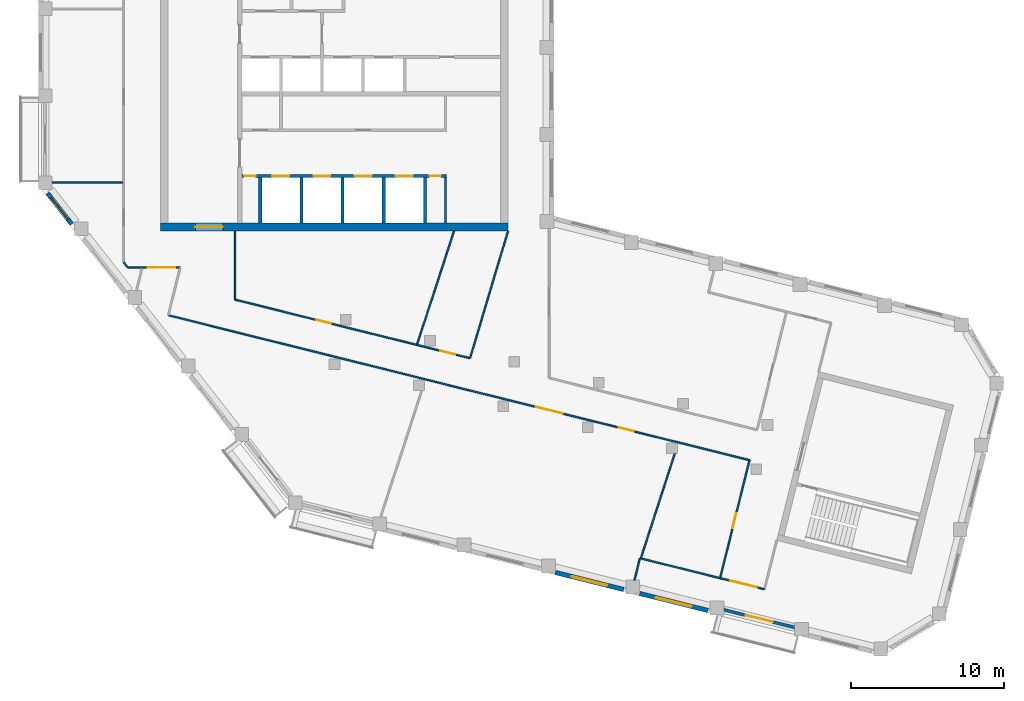
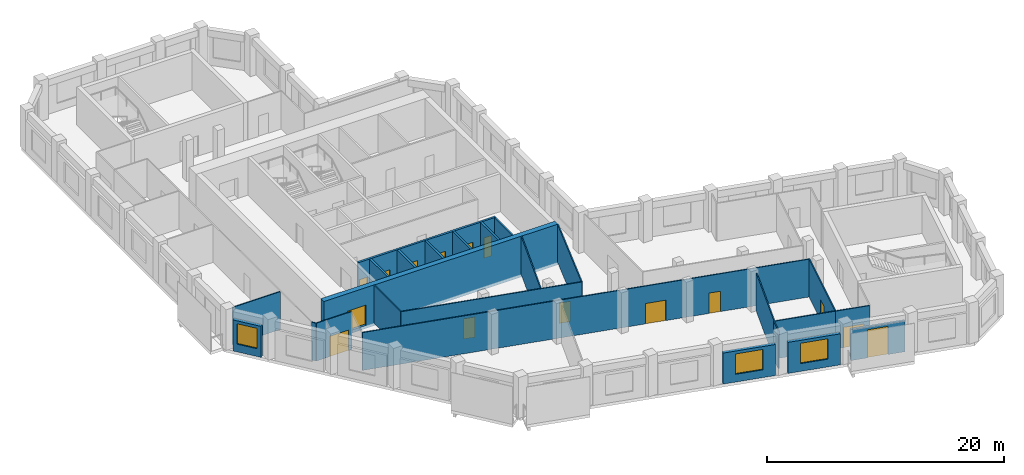
# One storey, part 3 of 8: 25 walls, 15 doors, 3 windows, 18 openings.
"""IFC4 building model written with IfcOpenShell, lengths in metres."""

from ifc_helpers import new_model, si_unit, direction, frame, frame_2d, origin, place, context, subcontext, project, spatial, rectangle, extrude, material, layer, layer_set, type_object, element, fill, save


model = new_model("IFC4")

# Units and contexts
model_context = context("Model", 3, precision=1e-05, world=origin(), true_north=direction((0.0, 1.0)))
body_context = subcontext(model_context, "Body", "Model", "MODEL_VIEW")
ifc_project = project(units=[si_unit("LENGTHUNIT", "METRE"), si_unit("AREAUNIT", "SQUARE_METRE"), si_unit("VOLUMEUNIT", "CUBIC_METRE"), si_unit("PLANEANGLEUNIT", "RADIAN"), si_unit("MASSUNIT", "GRAM", prefix="KILO")], contexts=[model_context])

# Site, building, storey
site_placement = place(None, origin())
site = spatial("IfcSite", under=ifc_project, at=site_placement, CompositionType="ELEMENT")
building_placement = place(site_placement, origin())
building = spatial("IfcBuilding", under=site, at=building_placement, Name="Meshkara Civic Tower", CompositionType="ELEMENT")
storey_placement = place(building_placement, frame((0.0, 0.0, 391.800048828125)))
storey = spatial("IfcBuildingStorey", under=building, at=storey_placement, Name="L90", CompositionType="ELEMENT", Elevation=391.800048828125)

# Wall
ifc_material_1 = material(Name="Blockwork", Category="masonry")
ifc_layer_1 = layer(ifc_material_1, 0.14990234375)
ifc_layer_set_1 = layer_set([ifc_layer_1], Name="Core partition 150")
wall_type_1 = type_object("IfcWallType", Name="Core partition 150", PredefinedType="PARTITIONING", material=ifc_layer_set_1)
wall_1_placement = place(storey_placement, frame((26.699951171875, 14.60009765625, 0.0), z_axis=(0.0, 0.0, 1.0), x_axis=(0.0, 1.0, 0.0)))
element("IfcWall", 1, at=wall_1_placement, inside=storey, type_object=wall_type_1, Name="L90-C025", PredefinedType="PARTITIONING", context=body_context, shape_type="SweptSolid", body=[
    extrude(rectangle(XDim=3.0, YDim=0.14990234375, at=frame_2d((1.5, 0.0))), origin(), (0.0, 0.0, 1.0), 3.89990234375),
])

# Wall, opening, door
ifc_material_2 = material(Name="Concrete C50", Category="concrete")
ifc_layer_2 = layer(ifc_material_2, 0.5)
ifc_layer_set_2 = layer_set([ifc_layer_2], Name="Core ring wall 500 C50")
wall_type_2 = type_object("IfcWallType", Name="Core ring wall 500 C50", PredefinedType="SHEAR", material=ifc_layer_set_2)
wall_2_placement = place(storey_placement, frame((8.0, 14.35009765625, -0.300048828125), z_axis=(0.0, 0.0, 1.0), x_axis=(1.0, 0.0, 0.0)))
wall_2 = element("IfcWall", 2, at=wall_2_placement, inside=storey, type_object=wall_type_2, Name="L90-C001", PredefinedType="SHEAR", context=body_context, shape_type="SweptSolid", body=[
    extrude(rectangle(XDim=22.800048828125, YDim=0.5, at=frame_2d((11.39990234375, 0.0))), origin(), (0.0, 0.0, 1.0), 4.199951171875),
])
opening_1_placement = place(wall_2_placement, frame((2.300048828125, 0.0, 0.300048828125)))
opening_1 = element("IfcOpeningElement", 3, at=opening_1_placement, cuts=wall_2, Name="Opening L90-K023", PredefinedType="OPENING", context=body_context, shape_type="SweptSolid", body=[
    extrude(rectangle(XDim=1.800048828125, YDim=2.10009765625, at=frame_2d((0.89990234375, 1.050048828125))), frame((0.0, 0.260009765625, 0.0), z_axis=(0.0, -1.0, 0.0), x_axis=(1.0, 0.0, 0.0)), (0.0, 0.0, 1.0), 0.52001953125),
])
ifc_material_3 = material(Name="Fire-rated door leaf in steel frame", Category="steel")
door_type_1 = type_object("IfcDoorType", Name="Core double door 1800 EI 60", OperationType="DOUBLE_DOOR_SINGLE_SWING", PredefinedType="DOOR", material=ifc_material_3)
door_1_placement = place(opening_1_placement, origin())
door_1 = element("IfcDoor", 4, at=door_1_placement, inside=storey, type_object=door_type_1, Name="L90-K023", OperationType="DOUBLE_DOOR_SINGLE_SWING", OverallHeight=2.10009765625, OverallWidth=1.800048828125, PredefinedType="DOOR", context=body_context, shape_type="SweptSolid", body=[
    extrude(rectangle(XDim=1.800048828125, YDim=2.10009765625, at=frame_2d((0.89990234375, 1.050048828125))), frame((0.0, 0.02490234375, 0.0), z_axis=(0.0, -1.0, 0.0), x_axis=(1.0, 0.0, 0.0)), (0.0, 0.0, 1.0), 0.050048828125),
])
fill(opening_1, door_1)

# Wall
ifc_material_4 = material(Name="Corridor wall 100")
ifc_layer_3 = layer(ifc_material_4, 0.10009765625)
ifc_layer_set_3 = layer_set([ifc_layer_3], Name="Corridor wall 100")
wall_type_3 = type_object("IfcWallType", Name="Corridor wall 100", PredefinedType="PARTITIONING", material=ifc_layer_set_3)
wall_3_placement = place(storey_placement, frame((5.60009765625, 12.0439453125, 0.0), z_axis=(0.0, 0.0, 1.0), x_axis=(0.614328236968, -0.789050579661, 0.0)))
element("IfcWall", 5, at=wall_3_placement, inside=storey, type_object=wall_type_3, Name="L90-W003", PredefinedType="PARTITIONING", context=body_context, shape_type="SweptSolid", body=[
    extrude(rectangle(XDim=0.43603515625, YDim=0.10009765625, at=frame_2d((0.218017578125, 0.0))), origin(), (0.0, 0.0, 1.0), 3.89990234375),
])

# Wall, opening, door
wall_4_placement = place(storey_placement, frame((5.867919921875, 11.699951171875, 0.0), z_axis=(0.0, 0.0, 1.0), x_axis=(1.0, 0.0, 0.0)))
wall_4 = element("IfcWall", 6, at=wall_4_placement, inside=storey, type_object=wall_type_3, Name="L90-W006", PredefinedType="PARTITIONING", context=body_context, shape_type="SweptSolid", body=[
    extrude(rectangle(XDim=3.43310546875, YDim=0.10009765625, at=frame_2d((1.716552734375, 0.0))), origin(), (0.0, 0.0, 1.0), 3.89990234375),
])
opening_2_placement = place(wall_4_placement, frame((1.30908203125, 0.0, 0.0)))
opening_2 = element("IfcOpeningElement", 7, at=opening_2_placement, cuts=wall_4, Name="Opening L90-D006", PredefinedType="OPENING", context=body_context, shape_type="SweptSolid", body=[
    extrude(rectangle(XDim=1.800048828125, YDim=2.10009765625, at=frame_2d((0.89990234375, 1.050048828125))), frame((0.0, 0.06005859375, 0.0), z_axis=(0.0, -1.0, 0.0), x_axis=(1.0, 0.0, 0.0)), (0.0, 0.0, 1.0), 0.1201171875),
])
ifc_material_5 = material(Name="Door pair 1800 x 2100")
door_type_2 = type_object("IfcDoorType", Name="Door pair 1800 x 2100", OperationType="SINGLE_SWING_LEFT", PredefinedType="DOOR", material=ifc_material_5)
door_2_placement = place(opening_2_placement, origin())
door_2 = element("IfcDoor", 8, at=door_2_placement, inside=storey, type_object=door_type_2, Name="L90-D006", OperationType="DOUBLE_DOOR_SINGLE_SWING", OverallHeight=2.10009765625, OverallWidth=1.800048828125, PredefinedType="DOOR", context=body_context, shape_type="SweptSolid", body=[
    extrude(rectangle(XDim=1.800048828125, YDim=2.10009765625, at=frame_2d((0.89990234375, 1.050048828125))), frame((0.0, 0.02490234375, 0.0), z_axis=(0.0, -1.0, 0.0), x_axis=(1.0, 0.0, 0.0)), (0.0, 0.0, 1.0), 0.050048828125),
])
fill(opening_2, door_2)

# Wall, openings, doors
wall_5_placement = place(storey_placement, frame((8.52099609375, 8.56689453125, 0.0), z_axis=(0.0, 0.0, 1.0), x_axis=(0.970298072542, -0.241912485047, 0.0)))
wall_5 = element("IfcWall", 9, at=wall_5_placement, inside=storey, type_object=wall_type_3, Name="L90-W007", PredefinedType="PARTITIONING", context=body_context, shape_type="SweptSolid", body=[
    extrude(rectangle(XDim=39.2744140625, YDim=0.10009765625, at=frame_2d((19.63720703125, 0.0))), origin(), (0.0, 0.0, 1.0), 3.89990234375),
])
opening_3_placement = place(wall_5_placement, frame((24.847900390625, 0.0, 0.0)))
opening_3 = element("IfcOpeningElement", 10, at=opening_3_placement, cuts=wall_5, Name="Opening L90-D003", PredefinedType="OPENING", context=body_context, shape_type="SweptSolid", body=[
    extrude(rectangle(XDim=1.800048828125, YDim=2.10009765625, at=frame_2d((0.89990234375, 1.050048828125))), frame((0.0, 0.06005859375, 0.0), z_axis=(0.0, -1.0, 0.0), x_axis=(1.0, 0.0, 0.0)), (0.0, 0.0, 1.0), 0.1201171875),
])
opening_4_placement = place(wall_5_placement, frame((30.447998046875, 0.0, 0.0)))
opening_4 = element("IfcOpeningElement", 11, at=opening_4_placement, cuts=wall_5, Name="Opening L90-D004", PredefinedType="OPENING", context=body_context, shape_type="SweptSolid", body=[
    extrude(rectangle(XDim=1.0, YDim=2.10009765625, at=frame_2d((0.5, 1.050048828125))), frame((0.0, 0.06005859375, 0.0), z_axis=(0.0, -1.0, 0.0), x_axis=(1.0, 0.0, 0.0)), (0.0, 0.0, 1.0), 0.1201171875),
])
ifc_material_6 = material(Name="Door 1000 x 2100")
door_type_3 = type_object("IfcDoorType", Name="Door 1000 x 2100", OperationType="SINGLE_SWING_LEFT", PredefinedType="DOOR", material=ifc_material_6)
door_3_placement = place(opening_4_placement, origin())
door_3 = element("IfcDoor", 12, at=door_3_placement, inside=storey, type_object=door_type_3, Name="L90-D004", OperationType="SINGLE_SWING_LEFT", OverallHeight=2.10009765625, OverallWidth=1.0, PredefinedType="DOOR", context=body_context, shape_type="SweptSolid", body=[
    extrude(rectangle(XDim=1.0, YDim=2.10009765625, at=frame_2d((0.5, 1.050048828125))), frame((0.0, 0.02490234375, 0.0), z_axis=(0.0, -1.0, 0.0), x_axis=(1.0, 0.0, 0.0)), (0.0, 0.0, 1.0), 0.050048828125),
])
fill(opening_4, door_3)
door_4_placement = place(opening_3_placement, origin())
door_4 = element("IfcDoor", 13, at=door_4_placement, inside=storey, type_object=door_type_2, Name="L90-D003", OperationType="DOUBLE_DOOR_SINGLE_SWING", OverallHeight=2.10009765625, OverallWidth=1.800048828125, PredefinedType="DOOR", context=body_context, shape_type="SweptSolid", body=[
    extrude(rectangle(XDim=1.800048828125, YDim=2.10009765625, at=frame_2d((0.89990234375, 1.050048828125))), frame((0.0, 0.02490234375, 0.0), z_axis=(0.0, -1.0, 0.0), x_axis=(1.0, 0.0, 0.0)), (0.0, 0.0, 1.0), 0.050048828125),
])
fill(opening_3, door_4)

wall_6_placement = place(storey_placement, frame((12.89990234375, 9.590087890625, 0.0), z_axis=(0.0, 0.0, 1.0), x_axis=(0.970296971371, -0.241916901741, 0.0)))
wall_6 = element("IfcWall", 14, at=wall_6_placement, inside=storey, type_object=wall_type_3, Name="L90-W009", PredefinedType="PARTITIONING", context=body_context, shape_type="SweptSolid", body=[
    extrude(rectangle(XDim=15.877685546875, YDim=0.10009765625, at=frame_2d((7.93896484375, 0.0))), origin(), (0.0, 0.0, 1.0), 3.89990234375),
])
opening_5_placement = place(wall_6_placement, frame((5.47998046875, 0.0, 0.0)))
opening_5 = element("IfcOpeningElement", 15, at=opening_5_placement, cuts=wall_6, Name="Opening L90-D007", PredefinedType="OPENING", context=body_context, shape_type="SweptSolid", body=[
    extrude(rectangle(XDim=1.0, YDim=2.10009765625, at=frame_2d((0.5, 1.050048828125))), frame((0.0, 0.06005859375, 0.0), z_axis=(0.0, -1.0, 0.0), x_axis=(1.0, 0.0, 0.0)), (0.0, 0.0, 1.0), 0.1201171875),
])
opening_6_placement = place(wall_6_placement, frame((13.868896484375, 0.0, 0.0)))
opening_6 = element("IfcOpeningElement", 16, at=opening_6_placement, cuts=wall_6, Name="Opening L90-D008", PredefinedType="OPENING", context=body_context, shape_type="SweptSolid", body=[
    extrude(rectangle(XDim=1.0, YDim=2.10009765625, at=frame_2d((0.5, 1.050048828125))), frame((0.0, 0.06005859375, 0.0), z_axis=(0.0, -1.0, 0.0), x_axis=(1.0, 0.0, 0.0)), (0.0, 0.0, 1.0), 0.1201171875),
])
door_5_placement = place(opening_5_placement, origin())
door_5 = element("IfcDoor", 17, at=door_5_placement, inside=storey, type_object=door_type_3, Name="L90-D007", OperationType="SINGLE_SWING_LEFT", OverallHeight=2.10009765625, OverallWidth=1.0, PredefinedType="DOOR", context=body_context, shape_type="SweptSolid", body=[
    extrude(rectangle(XDim=1.0, YDim=2.10009765625, at=frame_2d((0.5, 1.050048828125))), frame((0.0, 0.02490234375, 0.0), z_axis=(0.0, -1.0, 0.0), x_axis=(1.0, 0.0, 0.0)), (0.0, 0.0, 1.0), 0.050048828125),
])
fill(opening_5, door_5)
door_6_placement = place(opening_6_placement, origin())
door_6 = element("IfcDoor", 18, at=door_6_placement, inside=storey, type_object=door_type_3, Name="L90-D008", OperationType="SINGLE_SWING_RIGHT", OverallHeight=2.10009765625, OverallWidth=1.0, PredefinedType="DOOR", context=body_context, shape_type="SweptSolid", body=[
    extrude(rectangle(XDim=1.0, YDim=2.10009765625, at=frame_2d((0.5, 1.050048828125))), frame((0.0, 0.02490234375, 0.0), z_axis=(0.0, -1.0, 0.0), x_axis=(1.0, 0.0, 0.0)), (0.0, 0.0, 1.0), 0.050048828125),
])
fill(opening_6, door_6)

# Walls
wall_7_placement = place(storey_placement, frame((12.89990234375, 9.590087890625, 0.0), z_axis=(0.0, 0.0, 1.0), x_axis=(0.0, 1.0, 0.0)))
element("IfcWall", 19, at=wall_7_placement, inside=storey, type_object=wall_type_3, Name="L90-W010", PredefinedType="PARTITIONING", context=body_context, shape_type="SweptSolid", body=[
    extrude(rectangle(XDim=4.510009765625, YDim=0.10009765625, at=frame_2d((2.2548828125, 0.0))), origin(), (0.0, 0.0, 1.0), 3.89990234375),
])
wall_8_placement = place(storey_placement, frame((30.800048828125, 14.10009765625, 0.0), z_axis=(0.0, 0.0, 1.0), x_axis=(-0.286170650389, -0.958178667502, 0.0)))
element("IfcWall", 20, at=wall_8_placement, inside=storey, type_object=wall_type_3, Name="L90-W013", PredefinedType="PARTITIONING", context=body_context, shape_type="SweptSolid", body=[
    extrude(rectangle(XDim=8.715576171875, YDim=0.10009765625, at=frame_2d((4.35791015625, 0.0))), origin(), (0.0, 0.0, 1.0), 3.89990234375),
])

# Wall, opening, door
wall_9_placement = place(storey_placement, frame((44.699951171875, -8.6708984375, 0.0), z_axis=(0.0, 0.0, 1.0), x_axis=(0.970276376031, -0.241999491975, 0.0)))
wall_9 = element("IfcWall", 21, at=wall_9_placement, inside=storey, type_object=wall_type_3, Name="L90-W016", PredefinedType="PARTITIONING", context=body_context, shape_type="SweptSolid", body=[
    extrude(rectangle(XDim=3.000244140625, YDim=0.10009765625, at=frame_2d((1.5, 0.0))), origin(), (0.0, 0.0, 1.0), 3.89990234375),
])
opening_7_placement = place(wall_9_placement, frame((0.679931640625, 0.0, 0.0)))
opening_7 = element("IfcOpeningElement", 22, at=opening_7_placement, cuts=wall_9, Name="Opening L90-D001", PredefinedType="OPENING", context=body_context, shape_type="SweptSolid", body=[
    extrude(rectangle(XDim=1.800048828125, YDim=2.10009765625, at=frame_2d((0.89990234375, 1.050048828125))), frame((0.0, 0.06005859375, 0.0), z_axis=(0.0, -1.0, 0.0), x_axis=(1.0, 0.0, 0.0)), (0.0, 0.0, 1.0), 0.1201171875),
])
door_7_placement = place(opening_7_placement, origin())
door_7 = element("IfcDoor", 23, at=door_7_placement, inside=storey, type_object=door_type_2, Name="L90-D001", OperationType="DOUBLE_DOOR_SINGLE_SWING", OverallHeight=2.10009765625, OverallWidth=1.800048828125, PredefinedType="DOOR", context=body_context, shape_type="SweptSolid", body=[
    extrude(rectangle(XDim=1.800048828125, YDim=2.10009765625, at=frame_2d((0.89990234375, 1.050048828125))), frame((0.0, 0.02490234375, 0.0), z_axis=(0.0, -1.0, 0.0), x_axis=(1.0, 0.0, 0.0)), (0.0, 0.0, 1.0), 0.050048828125),
])
fill(opening_7, door_7)

wall_10_placement = place(storey_placement, frame((46.62890625, -0.93408203125, 0.0), z_axis=(0.0, 0.0, 1.0), x_axis=(-0.241916003183, -0.970297195401, 0.0)))
wall_10 = element("IfcWall", 24, at=wall_10_placement, inside=storey, type_object=wall_type_3, Name="L90-W017", PredefinedType="PARTITIONING", context=body_context, shape_type="SweptSolid", body=[
    extrude(rectangle(XDim=7.9736328125, YDim=0.10009765625, at=frame_2d((3.98681640625, 0.0))), origin(), (0.0, 0.0, 1.0), 3.89990234375),
])
opening_8_placement = place(wall_10_placement, frame((3.580078125, 0.0, 0.0)))
opening_8 = element("IfcOpeningElement", 25, at=opening_8_placement, cuts=wall_10, Name="Opening L90-D002", PredefinedType="OPENING", context=body_context, shape_type="SweptSolid", body=[
    extrude(rectangle(XDim=1.0, YDim=2.10009765625, at=frame_2d((0.5, 1.050048828125))), frame((0.0, 0.06005859375, 0.0), z_axis=(0.0, -1.0, 0.0), x_axis=(1.0, 0.0, 0.0)), (0.0, 0.0, 1.0), 0.1201171875),
])
door_8_placement = place(opening_8_placement, origin())
door_8 = element("IfcDoor", 26, at=door_8_placement, inside=storey, type_object=door_type_3, Name="L90-D002", OperationType="SINGLE_SWING_LEFT", OverallHeight=2.10009765625, OverallWidth=1.0, PredefinedType="DOOR", context=body_context, shape_type="SweptSolid", body=[
    extrude(rectangle(XDim=1.0, YDim=2.10009765625, at=frame_2d((0.5, 1.050048828125))), frame((0.0, 0.02490234375, 0.0), z_axis=(0.0, -1.0, 0.0), x_axis=(1.0, 0.0, 0.0)), (0.0, 0.0, 1.0), 0.050048828125),
])
fill(opening_8, door_8)

# Wall, opening, window
ifc_material_7 = material(Name="Insulated infill panel with bronze anodised aluminium cladding", Category="aluminium")
ifc_layer_4 = layer(ifc_material_7, 0.300048828125)
ifc_layer_set_4 = layer_set([ifc_layer_4], Name="EXTERNAL INFILL WALL 300")
wall_type_4 = type_object("IfcWallType", Name="EXTERNAL INFILL WALL 300", PredefinedType="SOLIDWALL", material=ifc_layer_set_4)
wall_11_placement = place(storey_placement, frame((0.60205078125, 16.572998046875, 0.0), z_axis=(0.0, 0.0, 1.0), x_axis=(0.61568999437, -0.787988471256, 0.0)))
wall_11 = element("IfcWall", 27, at=wall_11_placement, inside=storey, type_object=wall_type_4, Name="External wall", PredefinedType="SOLIDWALL", context=body_context, shape_type="SweptSolid", body=[
    extrude(rectangle(XDim=2.577392578125, YDim=0.300048828125, at=frame_2d((1.28857421875, 0.0))), origin(), (0.0, 0.0, 1.0), 3.199951171875),
])
opening_9_placement = place(wall_11_placement, frame((0.387939453125, 0.0, 0.800048828125)))
opening_9 = element("IfcOpeningElement", 28, at=opening_9_placement, cuts=wall_11, Name="Opening W9", PredefinedType="OPENING", context=body_context, shape_type="SweptSolid", body=[
    extrude(rectangle(XDim=1.800048828125, YDim=2.10009765625, at=frame_2d((0.89990234375, 1.050048828125))), frame((0.0, 0.159912109375, 0.0), z_axis=(0.0, -1.0, 0.0), x_axis=(1.0, 0.0, 0.0)), (0.0, 0.0, 1.0), 0.320068359375),
])
ifc_material_8 = material(Name="Tinted double glazing", Category="glass")
window_type_1 = type_object("IfcWindowType", Name="WINDOW 1800x2100", PartitioningType="DOUBLE_PANEL_VERTICAL", PredefinedType="WINDOW", material=ifc_material_8)
window_1_placement = place(opening_9_placement, origin())
window_1 = element("IfcWindow", 29, at=window_1_placement, inside=storey, type_object=window_type_1, Name="Window", OverallHeight=2.10009765625, OverallWidth=1.800048828125, PartitioningType="DOUBLE_PANEL_VERTICAL", PredefinedType="WINDOW", context=body_context, shape_type="SweptSolid", body=[
    extrude(rectangle(XDim=1.800048828125, YDim=2.10009765625, at=frame_2d((0.89990234375, 1.050048828125))), frame((0.0, 0.030029296875, 0.0), z_axis=(0.0, -1.0, 0.0), x_axis=(1.0, 0.0, 0.0)), (0.0, 0.0, 1.0), 0.06005859375),
])
fill(opening_9, window_1)

wall_12_placement = place(storey_placement, frame((33.89990234375, -8.298095703125, 0.0), z_axis=(0.0, 0.0, 1.0), x_axis=(0.970298093093, -0.241912402618, 0.0)))
wall_12 = element("IfcWall", 30, at=wall_12_placement, inside=storey, type_object=wall_type_4, Name="External wall", PredefinedType="SOLIDWALL", context=body_context, shape_type="SweptSolid", body=[
    extrude(rectangle(XDim=4.609130859375, YDim=0.300048828125, at=frame_2d((2.3046875, 0.0))), origin(), (0.0, 0.0, 1.0), 3.199951171875),
])
opening_10_placement = place(wall_12_placement, frame((1.10498046875, 0.0, 0.800048828125)))
opening_10 = element("IfcOpeningElement", 31, at=opening_10_placement, cuts=wall_12, Name="Opening W7", PredefinedType="OPENING", context=body_context, shape_type="SweptSolid", body=[
    extrude(rectangle(XDim=2.39990234375, YDim=2.10009765625, at=frame_2d((1.199951171875, 1.050048828125))), frame((0.0, 0.159912109375, 0.0), z_axis=(0.0, -1.0, 0.0), x_axis=(1.0, 0.0, 0.0)), (0.0, 0.0, 1.0), 0.320068359375),
])
ifc_material_9 = material(Name="Tinted double glazing", Category="glass")
window_type_2 = type_object("IfcWindowType", Name="WINDOW 2400x2100", PartitioningType="DOUBLE_PANEL_VERTICAL", PredefinedType="WINDOW", material=ifc_material_9)
window_2_placement = place(opening_10_placement, origin())
window_2 = element("IfcWindow", 32, at=window_2_placement, inside=storey, type_object=window_type_2, Name="Window", OverallHeight=2.10009765625, OverallWidth=2.39990234375, PartitioningType="DOUBLE_PANEL_VERTICAL", PredefinedType="WINDOW", context=body_context, shape_type="SweptSolid", body=[
    extrude(rectangle(XDim=2.39990234375, YDim=2.10009765625, at=frame_2d((1.199951171875, 1.050048828125))), frame((0.0, 0.030029296875, 0.0), z_axis=(0.0, -1.0, 0.0), x_axis=(1.0, 0.0, 0.0)), (0.0, 0.0, 1.0), 0.06005859375),
])
fill(opening_10, window_2)

wall_13_placement = place(storey_placement, frame((39.430908203125, -9.677001953125, 0.0), z_axis=(0.0, 0.0, 1.0), x_axis=(0.970285689791, -0.241962146187, 0.0)))
wall_13 = element("IfcWall", 33, at=wall_13_placement, inside=storey, type_object=wall_type_4, Name="External wall", PredefinedType="SOLIDWALL", context=body_context, shape_type="SweptSolid", body=[
    extrude(rectangle(XDim=4.608154296875, YDim=0.300048828125, at=frame_2d((2.30419921875, 0.0))), origin(), (0.0, 0.0, 1.0), 3.199951171875),
])
opening_11_placement = place(wall_13_placement, frame((1.10400390625, 0.0, 0.800048828125)))
opening_11 = element("IfcOpeningElement", 34, at=opening_11_placement, cuts=wall_13, Name="Opening W7", PredefinedType="OPENING", context=body_context, shape_type="SweptSolid", body=[
    extrude(rectangle(XDim=2.39990234375, YDim=2.10009765625, at=frame_2d((1.199951171875, 1.050048828125))), frame((0.0, 0.159912109375, 0.0), z_axis=(0.0, -1.0, 0.0), x_axis=(1.0, 0.0, 0.0)), (0.0, 0.0, 1.0), 0.320068359375),
])
window_3_placement = place(opening_11_placement, origin())
window_3 = element("IfcWindow", 35, at=window_3_placement, inside=storey, type_object=window_type_2, Name="Window", OverallHeight=2.10009765625, OverallWidth=2.39990234375, PartitioningType="DOUBLE_PANEL_VERTICAL", PredefinedType="WINDOW", context=body_context, shape_type="SweptSolid", body=[
    extrude(rectangle(XDim=2.39990234375, YDim=2.10009765625, at=frame_2d((1.199951171875, 1.050048828125))), frame((0.0, 0.030029296875, 0.0), z_axis=(0.0, -1.0, 0.0), x_axis=(1.0, 0.0, 0.0)), (0.0, 0.0, 1.0), 0.06005859375),
])
fill(opening_11, window_3)

# Wall, opening, door
ifc_material_10 = material(Name="Insulated infill panel with bronze anodised aluminium cladding", Category="aluminium")
ifc_layer_5 = layer(ifc_material_10, 0.199951171875)
ifc_layer_set_5 = layer_set([ifc_layer_5], Name="LOGGIA BACK WALL 200")
wall_type_5 = type_object("IfcWallType", Name="LOGGIA BACK WALL 200", PredefinedType="SOLIDWALL", material=ifc_layer_set_5)
wall_14_placement = place(storey_placement, frame((44.9541015625, -10.7451171875, 0.0), z_axis=(0.0, 0.0, 1.0), x_axis=(0.970334783127, -0.241765193223, 0.0)))
wall_14 = element("IfcWall", 36, at=wall_14_placement, inside=storey, type_object=wall_type_5, Name="Loggia wall", PredefinedType="SOLIDWALL", context=body_context, shape_type="SweptSolid", body=[
    extrude(rectangle(XDim=4.7724609375, YDim=0.199951171875, at=frame_2d((2.38623046875, 0.0))), origin(), (0.0, 0.0, 1.0), 3.199951171875),
])
opening_12_placement = place(wall_14_placement, frame((1.486083984375, 0.0, 0.0)))
opening_12 = element("IfcOpeningElement", 37, at=opening_12_placement, cuts=wall_14, Name="Opening L90-L004", PredefinedType="OPENING", context=body_context, shape_type="SweptSolid", body=[
    extrude(rectangle(XDim=1.800048828125, YDim=2.89990234375, at=frame_2d((0.89990234375, 1.449951171875))), frame((0.0, 0.10986328125, 0.0), z_axis=(0.0, -1.0, 0.0), x_axis=(1.0, 0.0, 0.0)), (0.0, 0.0, 1.0), 0.219970703125),
])
ifc_material_11 = material(Name="Tinted double glazing", Category="glass")
door_type_4 = type_object("IfcDoorType", Name="LOGGIA DOOR 1800x2900", OperationType="DOUBLE_DOOR_SINGLE_SWING", PredefinedType="DOOR", material=ifc_material_11)
door_9_placement = place(opening_12_placement, origin())
door_9 = element("IfcDoor", 38, at=door_9_placement, inside=storey, type_object=door_type_4, Name="L90-L004", OperationType="DOUBLE_DOOR_SINGLE_SWING", OverallHeight=2.89990234375, OverallWidth=1.800048828125, PredefinedType="DOOR", context=body_context, shape_type="SweptSolid", body=[
    extrude(rectangle(XDim=1.800048828125, YDim=2.89990234375, at=frame_2d((0.89990234375, 1.449951171875))), frame((0.0, 0.02490234375, 0.0), z_axis=(0.0, -1.0, 0.0), x_axis=(1.0, 0.0, 0.0)), (0.0, 0.0, 1.0), 0.050048828125),
])
fill(opening_12, door_9)

# Walls
ifc_material_12 = material(Name="Partition 100")
ifc_layer_6 = layer(ifc_material_12, 0.10009765625)
ifc_layer_set_6 = layer_set([ifc_layer_6], Name="Partition 100")
wall_type_6 = type_object("IfcWallType", Name="Partition 100", PredefinedType="PARTITIONING", material=ifc_layer_set_6)
wall_15_placement = place(storey_placement, frame((5.550048828125, 17.2548828125, 0.0), z_axis=(0.0, 0.0, 1.0), x_axis=(-1.0, 0.0, 0.0)))
element("IfcWall", 39, at=wall_15_placement, inside=storey, type_object=wall_type_6, Name="L90-W025", PredefinedType="PARTITIONING", context=body_context, shape_type="SweptSolid", body=[
    extrude(rectangle(XDim=4.650146484375, YDim=0.10009765625, at=frame_2d((2.3251953125, 0.0))), origin(), (0.0, 0.0, 1.0), 3.89990234375),
])
wall_16_placement = place(storey_placement, frame((24.841064453125, 6.66796875, 0.0), z_axis=(0.0, 0.0, 1.0), x_axis=(0.308898149954, 0.951095122979, 0.0)))
element("IfcWall", 40, at=wall_16_placement, inside=storey, type_object=wall_type_6, Name="L90-W029", PredefinedType="PARTITIONING", context=body_context, shape_type="SweptSolid", body=[
    extrude(rectangle(XDim=7.814208984375, YDim=0.10009765625, at=frame_2d((3.9072265625, 0.0))), origin(), (0.0, 0.0, 1.0), 3.89990234375),
])
wall_17_placement = place(storey_placement, frame((39.0859375, -8.803955078125, 0.0), z_axis=(0.0, 0.0, 1.0), x_axis=(0.24214932573, 0.970238993263, 0.0)))
element("IfcWall", 41, at=wall_17_placement, inside=storey, type_object=wall_type_6, Name="L90-W030", PredefinedType="PARTITIONING", context=body_context, shape_type="SweptSolid", body=[
    extrude(rectangle(XDim=1.487060546875, YDim=0.10009765625, at=frame_2d((0.74365234375, 0.0))), origin(), (0.0, 0.0, 1.0), 3.89990234375),
])
wall_18_placement = place(storey_placement, frame((39.50390625, -7.3759765625, 0.0), z_axis=(0.0, 0.0, 1.0), x_axis=(0.970313757414, -0.24184956517, 0.0)))
element("IfcWall", 42, at=wall_18_placement, inside=storey, type_object=wall_type_6, Name="L90-W031", PredefinedType="PARTITIONING", context=body_context, shape_type="SweptSolid", body=[
    extrude(rectangle(XDim=5.359375, YDim=0.10009765625, at=frame_2d((2.6796875, 0.0))), origin(), (0.0, 0.0, 1.0), 3.89990234375),
])
wall_19_placement = place(storey_placement, frame((39.5, -7.3740234375, 0.0), z_axis=(0.0, 0.0, 1.0), x_axis=(0.309068490073, 0.951039782787, 0.0)))
element("IfcWall", 43, at=wall_19_placement, inside=storey, type_object=wall_type_6, Name="L90-W032", PredefinedType="PARTITIONING", context=body_context, shape_type="SweptSolid", body=[
    extrude(rectangle(XDim=7.221435546875, YDim=0.10009765625, at=frame_2d((3.61083984375, 0.0))), origin(), (0.0, 0.0, 1.0), 3.89990234375),
])

# Wall, openings, doors
ifc_material_13 = material(Name="Concrete C40/50", Category="concrete")
ifc_layer_7 = layer(ifc_material_13, 0.199951171875)
ifc_layer_set_7 = layer_set([ifc_layer_7], Name="Shaft wall 200 C40/50")
wall_type_7 = type_object("IfcWallType", Name="Shaft wall 200 C40/50", PredefinedType="SOLIDWALL", material=ifc_layer_set_7)
wall_20_placement = place(storey_placement, frame((13.35009765625, 17.699951171875, 0.0), z_axis=(0.0, 0.0, 1.0), x_axis=(1.0, 0.0, 0.0)))
wall_20 = element("IfcWall", 44, at=wall_20_placement, inside=storey, type_object=wall_type_7, Name="L90-C005", PredefinedType="SOLIDWALL", context=body_context, shape_type="SweptSolid", body=[
    extrude(rectangle(XDim=13.4248046875, YDim=0.199951171875, at=frame_2d((6.71240234375, 0.0))), origin(), (0.0, 0.0, 1.0), 3.89990234375),
])
opening_13_placement = place(wall_20_placement, frame((2.0, 0.0, 0.0)))
opening_13 = element("IfcOpeningElement", 45, at=opening_13_placement, cuts=wall_20, Name="Opening L90-K001", PredefinedType="OPENING", context=body_context, shape_type="SweptSolid", body=[
    extrude(rectangle(XDim=1.10009765625, YDim=2.10009765625, at=frame_2d((0.550048828125, 1.050048828125))), frame((0.0, 0.10986328125, 0.0), z_axis=(0.0, -1.0, 0.0), x_axis=(1.0, 0.0, 0.0)), (0.0, 0.0, 1.0), 0.219970703125),
])
opening_14_placement = place(wall_20_placement, frame((4.699951171875, 0.0, 0.0)))
opening_14 = element("IfcOpeningElement", 46, at=opening_14_placement, cuts=wall_20, Name="Opening L90-K002", PredefinedType="OPENING", context=body_context, shape_type="SweptSolid", body=[
    extrude(rectangle(XDim=1.10009765625, YDim=2.10009765625, at=frame_2d((0.550048828125, 1.050048828125))), frame((0.0, 0.10986328125, 0.0), z_axis=(0.0, -1.0, 0.0), x_axis=(1.0, 0.0, 0.0)), (0.0, 0.0, 1.0), 0.219970703125),
])
opening_15_placement = place(wall_20_placement, frame((7.39990234375, 0.0, 0.0)))
opening_15 = element("IfcOpeningElement", 47, at=opening_15_placement, cuts=wall_20, Name="Opening L90-K003", PredefinedType="OPENING", context=body_context, shape_type="SweptSolid", body=[
    extrude(rectangle(XDim=1.10009765625, YDim=2.10009765625, at=frame_2d((0.550048828125, 1.050048828125))), frame((0.0, 0.10986328125, 0.0), z_axis=(0.0, -1.0, 0.0), x_axis=(1.0, 0.0, 0.0)), (0.0, 0.0, 1.0), 0.219970703125),
])
opening_16_placement = place(wall_20_placement, frame((10.10009765625, 0.0, 0.0)))
opening_16 = element("IfcOpeningElement", 48, at=opening_16_placement, cuts=wall_20, Name="Opening L90-K004", PredefinedType="OPENING", context=body_context, shape_type="SweptSolid", body=[
    extrude(rectangle(XDim=1.10009765625, YDim=2.10009765625, at=frame_2d((0.550048828125, 1.050048828125))), frame((0.0, 0.10986328125, 0.0), z_axis=(0.0, -1.0, 0.0), x_axis=(1.0, 0.0, 0.0)), (0.0, 0.0, 1.0), 0.219970703125),
])
opening_17_placement = place(wall_20_placement, frame((0.14990234375, 0.0, 0.0)))
opening_17 = element("IfcOpeningElement", 49, at=opening_17_placement, cuts=wall_20, Name="Opening L90-K009", PredefinedType="OPENING", context=body_context, shape_type="SweptSolid", body=[
    extrude(rectangle(XDim=0.75, YDim=2.10009765625, at=frame_2d((0.375, 1.050048828125))), frame((0.0, 0.10986328125, 0.0), z_axis=(0.0, -1.0, 0.0), x_axis=(1.0, 0.0, 0.0)), (0.0, 0.0, 1.0), 0.219970703125),
])
opening_18_placement = place(wall_20_placement, frame((12.300048828125, 0.0, 0.0)))
opening_18 = element("IfcOpeningElement", 50, at=opening_18_placement, cuts=wall_20, Name="Opening L90-K010", PredefinedType="OPENING", context=body_context, shape_type="SweptSolid", body=[
    extrude(rectangle(XDim=0.75, YDim=2.10009765625, at=frame_2d((0.375, 1.050048828125))), frame((0.0, 0.10986328125, 0.0), z_axis=(0.0, -1.0, 0.0), x_axis=(1.0, 0.0, 0.0)), (0.0, 0.0, 1.0), 0.219970703125),
])
ifc_material_14 = material(Name="Timber door leaf in steel frame", Category="steel")
door_type_5 = type_object("IfcDoorType", Name="Core room door 750", OperationType="SINGLE_SWING_LEFT", PredefinedType="DOOR", material=ifc_material_14)
door_10_placement = place(opening_17_placement, origin())
door_10 = element("IfcDoor", 51, at=door_10_placement, inside=storey, type_object=door_type_5, Name="L90-K009", OperationType="SINGLE_SWING_RIGHT", OverallHeight=2.10009765625, OverallWidth=0.75, PredefinedType="DOOR", context=body_context, shape_type="SweptSolid", body=[
    extrude(rectangle(XDim=0.75, YDim=2.10009765625, at=frame_2d((0.375, 1.050048828125))), frame((0.0, 0.02490234375, 0.0), z_axis=(0.0, -1.0, 0.0), x_axis=(1.0, 0.0, 0.0)), (0.0, 0.0, 1.0), 0.050048828125),
])
fill(opening_17, door_10)
door_11_placement = place(opening_18_placement, origin())
door_11 = element("IfcDoor", 52, at=door_11_placement, inside=storey, type_object=door_type_5, Name="L90-K010", OperationType="SINGLE_SWING_RIGHT", OverallHeight=2.10009765625, OverallWidth=0.75, PredefinedType="DOOR", context=body_context, shape_type="SweptSolid", body=[
    extrude(rectangle(XDim=0.75, YDim=2.10009765625, at=frame_2d((0.375, 1.050048828125))), frame((0.0, 0.02490234375, 0.0), z_axis=(0.0, -1.0, 0.0), x_axis=(1.0, 0.0, 0.0)), (0.0, 0.0, 1.0), 0.050048828125),
])
fill(opening_18, door_11)
ifc_material_15 = material(Name="Stainless steel landing door", Category="steel")
door_type_6 = type_object("IfcDoorType", Name="Lift landing door 1100", OperationType="SLIDING_TO_LEFT", PredefinedType="DOOR", material=ifc_material_15)
door_12_placement = place(opening_13_placement, origin())
door_12 = element("IfcDoor", 53, at=door_12_placement, inside=storey, type_object=door_type_6, Name="L90-K001", OperationType="SLIDING_TO_LEFT", OverallHeight=2.10009765625, OverallWidth=1.10009765625, PredefinedType="DOOR", context=body_context, shape_type="SweptSolid", body=[
    extrude(rectangle(XDim=1.10009765625, YDim=2.10009765625, at=frame_2d((0.550048828125, 1.050048828125))), frame((0.0, 0.02490234375, 0.0), z_axis=(0.0, -1.0, 0.0), x_axis=(1.0, 0.0, 0.0)), (0.0, 0.0, 1.0), 0.050048828125),
])
fill(opening_13, door_12)
door_13_placement = place(opening_14_placement, origin())
door_13 = element("IfcDoor", 54, at=door_13_placement, inside=storey, type_object=door_type_6, Name="L90-K002", OperationType="SLIDING_TO_LEFT", OverallHeight=2.10009765625, OverallWidth=1.10009765625, PredefinedType="DOOR", context=body_context, shape_type="SweptSolid", body=[
    extrude(rectangle(XDim=1.10009765625, YDim=2.10009765625, at=frame_2d((0.550048828125, 1.050048828125))), frame((0.0, 0.02490234375, 0.0), z_axis=(0.0, -1.0, 0.0), x_axis=(1.0, 0.0, 0.0)), (0.0, 0.0, 1.0), 0.050048828125),
])
fill(opening_14, door_13)
door_14_placement = place(opening_15_placement, origin())
door_14 = element("IfcDoor", 55, at=door_14_placement, inside=storey, type_object=door_type_6, Name="L90-K003", OperationType="SLIDING_TO_LEFT", OverallHeight=2.10009765625, OverallWidth=1.10009765625, PredefinedType="DOOR", context=body_context, shape_type="SweptSolid", body=[
    extrude(rectangle(XDim=1.10009765625, YDim=2.10009765625, at=frame_2d((0.550048828125, 1.050048828125))), frame((0.0, 0.02490234375, 0.0), z_axis=(0.0, -1.0, 0.0), x_axis=(1.0, 0.0, 0.0)), (0.0, 0.0, 1.0), 0.050048828125),
])
fill(opening_15, door_14)
door_15_placement = place(opening_16_placement, origin())
door_15 = element("IfcDoor", 56, at=door_15_placement, inside=storey, type_object=door_type_6, Name="L90-K004", OperationType="SLIDING_TO_LEFT", OverallHeight=2.10009765625, OverallWidth=1.10009765625, PredefinedType="DOOR", context=body_context, shape_type="SweptSolid", body=[
    extrude(rectangle(XDim=1.10009765625, YDim=2.10009765625, at=frame_2d((0.550048828125, 1.050048828125))), frame((0.0, 0.02490234375, 0.0), z_axis=(0.0, -1.0, 0.0), x_axis=(1.0, 0.0, 0.0)), (0.0, 0.0, 1.0), 0.050048828125),
])
fill(opening_16, door_15)

# Walls
for number, where, z_axis, x_axis, name in (
    (57, (14.550048828125, 14.60009765625, 0.0), (0.0, 0.0, 1.0), (0.0, 1.0, 0.0), "L90-C012"),
    (58, (17.25, 14.60009765625, 0.0), (0.0, 0.0, 1.0), (0.0, 1.0, 0.0), "L90-C015"),
    (59, (19.949951171875, 14.60009765625, 0.0), (0.0, 0.0, 1.0), (0.0, 1.0, 0.0), "L90-C017"),
    (60, (22.64990234375, 14.60009765625, 0.0), (0.0, 0.0, 1.0), (0.0, 1.0, 0.0), "L90-C021"),
    (61, (25.35009765625, 14.60009765625, 0.0), (0.0, 0.0, 1.0), (0.0, 1.0, 0.0), "L90-C023"),
):
    element("IfcWall", number, at=place(storey_placement, frame(where, z_axis=z_axis, x_axis=x_axis)), inside=storey, type_object=wall_type_7, Name=name, PredefinedType="SOLIDWALL", context=body_context, shape_type="SweptSolid", body=[
        extrude(rectangle(XDim=3.0, YDim=0.199951171875, at=frame_2d((1.5, 0.0))), origin(), (0.0, 0.0, 1.0), 3.89990234375),
    ])

save(model, "model.ifc")
